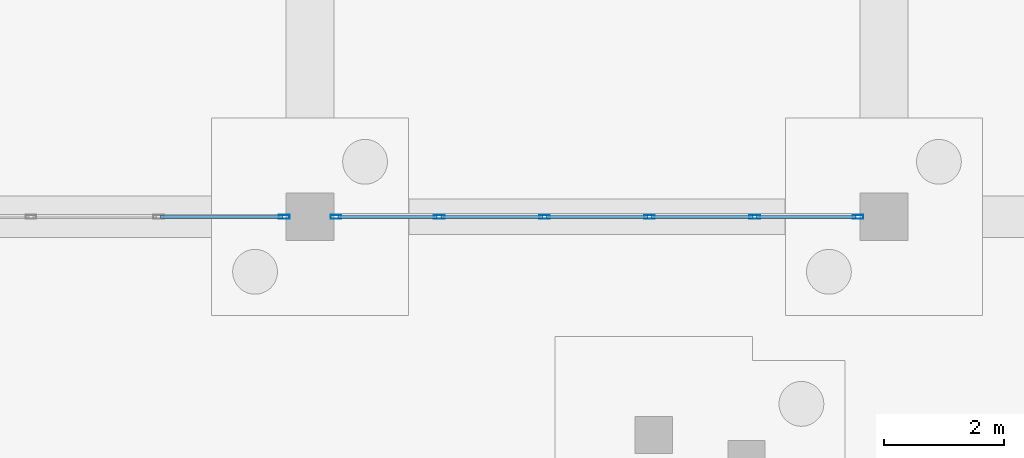
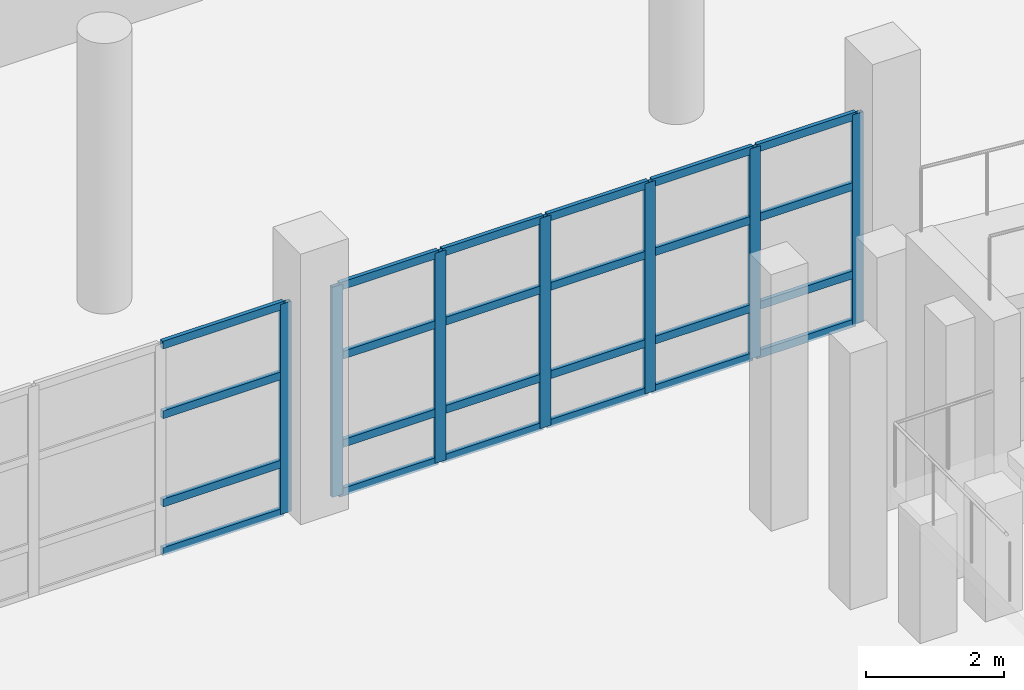
# One storey, part 24 of 42: 31 members, 2 elements without a shape of their own.
"""IFC4 building model written with IfcOpenShell, lengths in metres."""

from ifc_helpers import new_model, si_unit, direction, frame, origin, origin_2d, place, context, subcontext, project, spatial, hollow_rectangle, extrude, material, material_profile, profile_set, type_object, element, aggregate, save


model = new_model("IFC4")

# Units and contexts
model_context = context("Model", 3, precision=1e-05, world=origin(), true_north=direction((0.0, 1.0)))
body_context = subcontext(model_context, "Body", "Model", "MODEL_VIEW")
ifc_project = project(units=[si_unit("LENGTHUNIT", "METRE"), si_unit("AREAUNIT", "SQUARE_METRE"), si_unit("VOLUMEUNIT", "CUBIC_METRE"), si_unit("PLANEANGLEUNIT", "RADIAN"), si_unit("MASSUNIT", "GRAM", prefix="KILO")], contexts=[model_context])

# Site, building, storey
site_placement = place(None, origin())
site = spatial("IfcSite", under=ifc_project, at=site_placement, CompositionType="ELEMENT")
building_placement = place(site_placement, origin())
building = spatial("IfcBuilding", under=site, at=building_placement, Name="Pellamere Symphony Hall", CompositionType="ELEMENT")
storey_placement = place(building_placement, frame((0.0, 0.0, -4.800048828125)))
storey = spatial("IfcBuildingStorey", under=building, at=storey_placement, Name="B1", CompositionType="ELEMENT", Elevation=-4.800048828125)

# Curtain wall, member
ifc_material_1 = material(Name="Thermally Broken Anodised Aluminium 6063-T6 Curtain Wall", Category="aluminium")
curtain_wall_type = type_object("IfcCurtainWallType", Name="Curtain Wall CW-02 (Winter-Garden South Concourse Curtain Wall)", PredefinedType="NOTDEFINED", material=ifc_material_1)
curtain_wall_1_placement = place(storey_placement, origin())
curtain_wall_1 = element("IfcCurtainWall", 1, at=curtain_wall_1_placement, inside=storey, type_object=curtain_wall_type, Name="Winter-Garden South Curtain Wall (B1 Bay 8)", PredefinedType="NOTDEFINED")
ifc_material_2 = material(Name="Anodised Architectural Aluminium 6063-T6", Category="aluminium")
ifc_material_profile_1 = material_profile(ifc_material_2, hollow_rectangle(XDim=0.06494140625, YDim=0.179931640625, WallThickness=0.00390625, at=origin_2d()), Name="ALU-M65X180X4")
ifc_profile_set_1 = profile_set([ifc_material_profile_1], Name="Anodised Architectural Aluminium 6063-T6")
member_type_1 = type_object("IfcMemberType", Name="Curtain Wall Mullion ML-02 ALU-M65X180X4", PredefinedType="MULLION", material=ifc_profile_set_1)
member_1_placement = place(storey_placement, frame((108.767578125, 18.0, 0.0), z_axis=(0.0, 0.0, 1.0), x_axis=(0.0, 1.0, 0.0)))
member_1 = element("IfcMember", 2, at=member_1_placement, type_object=member_type_1, Name="CW2-062 crystal mullion 4", PredefinedType="MULLION", context=body_context, shape_type="SweptSolid", body=[
    extrude(hollow_rectangle(XDim=0.06494140625, YDim=0.179931640625, WallThickness=0.00390625, at=origin_2d()), origin(), (0.0, 0.0, 1.0), 3.72998046875),
])

# Curtain wall, members
curtain_wall_2_placement = place(storey_placement, origin())
curtain_wall_2 = element("IfcCurtainWall", 3, at=curtain_wall_2_placement, inside=storey, type_object=curtain_wall_type, Name="Winter-Garden South Curtain Wall (B1 Bay 9)", PredefinedType="NOTDEFINED")
member_2_placement = place(storey_placement, frame((109.632568359375, 18.0, 0.0), z_axis=(0.0, 0.0, 1.0), x_axis=(0.0, 1.0, 0.0)))
member_2 = element("IfcMember", 4, at=member_2_placement, type_object=member_type_1, Name="CW2-063 crystal mullion 1", PredefinedType="MULLION", context=body_context, shape_type="SweptSolid", body=[
    extrude(hollow_rectangle(XDim=0.06494140625, YDim=0.179931640625, WallThickness=0.00390625, at=origin_2d()), origin(), (0.0, 0.0, 1.0), 3.72998046875),
])
member_3_placement = place(storey_placement, frame((111.360107421875, 18.0, 0.0), z_axis=(0.0, 0.0, 1.0), x_axis=(0.0, 1.0, 0.0)))
member_3 = element("IfcMember", 5, at=member_3_placement, type_object=member_type_1, Name="CW2-063 crystal mullion 2", PredefinedType="MULLION", context=body_context, shape_type="SweptSolid", body=[
    extrude(hollow_rectangle(XDim=0.06494140625, YDim=0.179931640625, WallThickness=0.00390625, at=origin_2d()), origin(), (0.0, 0.0, 1.0), 3.72998046875),
])
member_4_placement = place(storey_placement, frame((113.1201171875, 18.0, 0.0), z_axis=(0.0, 0.0, 1.0), x_axis=(0.0, 1.0, 0.0)))
member_4 = element("IfcMember", 6, at=member_4_placement, type_object=member_type_1, Name="CW2-063 crystal mullion 3", PredefinedType="MULLION", context=body_context, shape_type="SweptSolid", body=[
    extrude(hollow_rectangle(XDim=0.06494140625, YDim=0.179931640625, WallThickness=0.00390625, at=origin_2d()), origin(), (0.0, 0.0, 1.0), 3.72998046875),
])
member_5_placement = place(storey_placement, frame((114.8798828125, 18.0, 0.0), z_axis=(0.0, 0.0, 1.0), x_axis=(0.0, 1.0, 0.0)))
member_5 = element("IfcMember", 7, at=member_5_placement, type_object=member_type_1, Name="CW2-063 crystal mullion 4", PredefinedType="MULLION", context=body_context, shape_type="SweptSolid", body=[
    extrude(hollow_rectangle(XDim=0.06494140625, YDim=0.179931640625, WallThickness=0.00390625, at=origin_2d()), origin(), (0.0, 0.0, 1.0), 3.72998046875),
])
member_6_placement = place(storey_placement, frame((116.639892578125, 18.0, 0.0), z_axis=(0.0, 0.0, 1.0), x_axis=(0.0, 1.0, 0.0)))
member_6 = element("IfcMember", 8, at=member_6_placement, type_object=member_type_1, Name="CW2-063 crystal mullion 5", PredefinedType="MULLION", context=body_context, shape_type="SweptSolid", body=[
    extrude(hollow_rectangle(XDim=0.06494140625, YDim=0.179931640625, WallThickness=0.00390625, at=origin_2d()), origin(), (0.0, 0.0, 1.0), 3.72998046875),
])
member_7_placement = place(storey_placement, frame((118.367431640625, 18.0, 0.0), z_axis=(0.0, 0.0, 1.0), x_axis=(0.0, 1.0, 0.0)))
member_7 = element("IfcMember", 9, at=member_7_placement, type_object=member_type_1, Name="CW2-063 crystal mullion 6", PredefinedType="MULLION", context=body_context, shape_type="SweptSolid", body=[
    extrude(hollow_rectangle(XDim=0.06494140625, YDim=0.179931640625, WallThickness=0.00390625, at=origin_2d()), origin(), (0.0, 0.0, 1.0), 3.72998046875),
])

# Member
ifc_material_profile_2 = material_profile(ifc_material_2, hollow_rectangle(XDim=0.06494140625, YDim=0.139892578125, WallThickness=0.00390625, at=origin_2d()), Name="ALU-T65X140X4")
ifc_profile_set_2 = profile_set([ifc_material_profile_2], Name="Anodised Architectural Aluminium 6063-T6")
member_type_2 = type_object("IfcMemberType", Name="Curtain Wall Transom TR-02 ALU-T65X140X4", PredefinedType="USERDEFINED", material=ifc_profile_set_2)
member_8_placement = place(storey_placement, frame((106.69921875, 18.0, 0.032470703125), z_axis=(1.0, 0.0, 0.0), x_axis=(0.0, 1.0, 0.0)))
member_8 = element("IfcMember", 10, at=member_8_placement, type_object=member_type_2, Name="CW2-062 crystal transom 3.1", ObjectType="TRANSOM", PredefinedType="USERDEFINED", context=body_context, shape_type="SweptSolid", body=[
    extrude(hollow_rectangle(XDim=0.06494140625, YDim=0.139892578125, WallThickness=0.00390625, at=origin_2d()), origin(), (0.0, 0.0, 1.0), 2.035888671875),
])

member_9_placement = place(storey_placement, frame((106.69921875, 18.0, 0.895263671875), z_axis=(1.0, 0.0, 0.0), x_axis=(0.0, 1.0, 0.0)))
member_9 = element("IfcMember", 11, at=member_9_placement, type_object=member_type_2, Name="CW2-062 crystal transom 3.2", ObjectType="TRANSOM", PredefinedType="USERDEFINED", context=body_context, shape_type="SweptSolid", body=[
    extrude(hollow_rectangle(XDim=0.06494140625, YDim=0.139892578125, WallThickness=0.00390625, at=origin_2d()), origin(), (0.0, 0.0, 1.0), 2.035888671875),
])

member_10_placement = place(storey_placement, frame((106.69921875, 18.0, 2.4619140625), z_axis=(1.0, 0.0, 0.0), x_axis=(0.0, 1.0, 0.0)))
member_10 = element("IfcMember", 12, at=member_10_placement, type_object=member_type_2, Name="CW2-062 crystal transom 3.3", ObjectType="TRANSOM", PredefinedType="USERDEFINED", context=body_context, shape_type="SweptSolid", body=[
    extrude(hollow_rectangle(XDim=0.06494140625, YDim=0.139892578125, WallThickness=0.00390625, at=origin_2d()), origin(), (0.0, 0.0, 1.0), 2.035888671875),
])

member_11_placement = place(storey_placement, frame((106.69921875, 18.0, 3.697509765625), z_axis=(1.0, 0.0, 0.0), x_axis=(0.0, 1.0, 0.0)))
member_11 = element("IfcMember", 13, at=member_11_placement, type_object=member_type_2, Name="CW2-062 crystal transom 3.4", ObjectType="TRANSOM", PredefinedType="USERDEFINED", context=body_context, shape_type="SweptSolid", body=[
    extrude(hollow_rectangle(XDim=0.06494140625, YDim=0.139892578125, WallThickness=0.00390625, at=origin_2d()), origin(), (0.0, 0.0, 1.0), 2.035888671875),
])

aggregate(curtain_wall_1, [member_1, member_8, member_9, member_10, member_11])

member_12_placement = place(storey_placement, frame((109.6650390625, 18.0, 0.032470703125), z_axis=(1.0, 0.0, 0.0), x_axis=(0.0, 1.0, 0.0)))
member_12 = element("IfcMember", 14, at=member_12_placement, type_object=member_type_2, Name="CW2-063 crystal transom 1.1", ObjectType="TRANSOM", PredefinedType="USERDEFINED", context=body_context, shape_type="SweptSolid", body=[
    extrude(hollow_rectangle(XDim=0.06494140625, YDim=0.139892578125, WallThickness=0.00390625, at=origin_2d()), origin(), (0.0, 0.0, 1.0), 1.662353515625),
])

member_13_placement = place(storey_placement, frame((109.6650390625, 18.0, 0.895263671875), z_axis=(1.0, 0.0, 0.0), x_axis=(0.0, 1.0, 0.0)))
member_13 = element("IfcMember", 15, at=member_13_placement, type_object=member_type_2, Name="CW2-063 crystal transom 1.2", ObjectType="TRANSOM", PredefinedType="USERDEFINED", context=body_context, shape_type="SweptSolid", body=[
    extrude(hollow_rectangle(XDim=0.06494140625, YDim=0.139892578125, WallThickness=0.00390625, at=origin_2d()), origin(), (0.0, 0.0, 1.0), 1.662353515625),
])

member_14_placement = place(storey_placement, frame((109.6650390625, 18.0, 2.4619140625), z_axis=(1.0, 0.0, 0.0), x_axis=(0.0, 1.0, 0.0)))
member_14 = element("IfcMember", 16, at=member_14_placement, type_object=member_type_2, Name="CW2-063 crystal transom 1.3", ObjectType="TRANSOM", PredefinedType="USERDEFINED", context=body_context, shape_type="SweptSolid", body=[
    extrude(hollow_rectangle(XDim=0.06494140625, YDim=0.139892578125, WallThickness=0.00390625, at=origin_2d()), origin(), (0.0, 0.0, 1.0), 1.662353515625),
])

member_15_placement = place(storey_placement, frame((109.6650390625, 18.0, 3.697509765625), z_axis=(1.0, 0.0, 0.0), x_axis=(0.0, 1.0, 0.0)))
member_15 = element("IfcMember", 17, at=member_15_placement, type_object=member_type_2, Name="CW2-063 crystal transom 1.4", ObjectType="TRANSOM", PredefinedType="USERDEFINED", context=body_context, shape_type="SweptSolid", body=[
    extrude(hollow_rectangle(XDim=0.06494140625, YDim=0.139892578125, WallThickness=0.00390625, at=origin_2d()), origin(), (0.0, 0.0, 1.0), 1.662353515625),
])

member_16_placement = place(storey_placement, frame((111.392578125, 18.0, 0.032470703125), z_axis=(1.0, 0.0, 0.0), x_axis=(0.0, 1.0, 0.0)))
member_16 = element("IfcMember", 18, at=member_16_placement, type_object=member_type_2, Name="CW2-063 crystal transom 2.1", ObjectType="TRANSOM", PredefinedType="USERDEFINED", context=body_context, shape_type="SweptSolid", body=[
    extrude(hollow_rectangle(XDim=0.06494140625, YDim=0.139892578125, WallThickness=0.00390625, at=origin_2d()), origin(), (0.0, 0.0, 1.0), 1.69482421875),
])

member_17_placement = place(storey_placement, frame((111.392578125, 18.0, 0.895263671875), z_axis=(1.0, 0.0, 0.0), x_axis=(0.0, 1.0, 0.0)))
member_17 = element("IfcMember", 19, at=member_17_placement, type_object=member_type_2, Name="CW2-063 crystal transom 2.2", ObjectType="TRANSOM", PredefinedType="USERDEFINED", context=body_context, shape_type="SweptSolid", body=[
    extrude(hollow_rectangle(XDim=0.06494140625, YDim=0.139892578125, WallThickness=0.00390625, at=origin_2d()), origin(), (0.0, 0.0, 1.0), 1.69482421875),
])

member_18_placement = place(storey_placement, frame((111.392578125, 18.0, 2.4619140625), z_axis=(1.0, 0.0, 0.0), x_axis=(0.0, 1.0, 0.0)))
member_18 = element("IfcMember", 20, at=member_18_placement, type_object=member_type_2, Name="CW2-063 crystal transom 2.3", ObjectType="TRANSOM", PredefinedType="USERDEFINED", context=body_context, shape_type="SweptSolid", body=[
    extrude(hollow_rectangle(XDim=0.06494140625, YDim=0.139892578125, WallThickness=0.00390625, at=origin_2d()), origin(), (0.0, 0.0, 1.0), 1.69482421875),
])

member_19_placement = place(storey_placement, frame((111.392578125, 18.0, 3.697509765625), z_axis=(1.0, 0.0, 0.0), x_axis=(0.0, 1.0, 0.0)))
member_19 = element("IfcMember", 21, at=member_19_placement, type_object=member_type_2, Name="CW2-063 crystal transom 2.4", ObjectType="TRANSOM", PredefinedType="USERDEFINED", context=body_context, shape_type="SweptSolid", body=[
    extrude(hollow_rectangle(XDim=0.06494140625, YDim=0.139892578125, WallThickness=0.00390625, at=origin_2d()), origin(), (0.0, 0.0, 1.0), 1.69482421875),
])

member_20_placement = place(storey_placement, frame((113.152587890625, 18.0, 0.032470703125), z_axis=(1.0, 0.0, 0.0), x_axis=(0.0, 1.0, 0.0)))
member_20 = element("IfcMember", 22, at=member_20_placement, type_object=member_type_2, Name="CW2-063 crystal transom 3.1", ObjectType="TRANSOM", PredefinedType="USERDEFINED", context=body_context, shape_type="SweptSolid", body=[
    extrude(hollow_rectangle(XDim=0.06494140625, YDim=0.139892578125, WallThickness=0.00390625, at=origin_2d()), origin(), (0.0, 0.0, 1.0), 1.69482421875),
])

member_21_placement = place(storey_placement, frame((113.152587890625, 18.0, 0.895263671875), z_axis=(1.0, 0.0, 0.0), x_axis=(0.0, 1.0, 0.0)))
member_21 = element("IfcMember", 23, at=member_21_placement, type_object=member_type_2, Name="CW2-063 crystal transom 3.2", ObjectType="TRANSOM", PredefinedType="USERDEFINED", context=body_context, shape_type="SweptSolid", body=[
    extrude(hollow_rectangle(XDim=0.06494140625, YDim=0.139892578125, WallThickness=0.00390625, at=origin_2d()), origin(), (0.0, 0.0, 1.0), 1.69482421875),
])

member_22_placement = place(storey_placement, frame((113.152587890625, 18.0, 2.4619140625), z_axis=(1.0, 0.0, 0.0), x_axis=(0.0, 1.0, 0.0)))
member_22 = element("IfcMember", 24, at=member_22_placement, type_object=member_type_2, Name="CW2-063 crystal transom 3.3", ObjectType="TRANSOM", PredefinedType="USERDEFINED", context=body_context, shape_type="SweptSolid", body=[
    extrude(hollow_rectangle(XDim=0.06494140625, YDim=0.139892578125, WallThickness=0.00390625, at=origin_2d()), origin(), (0.0, 0.0, 1.0), 1.69482421875),
])

member_23_placement = place(storey_placement, frame((113.152587890625, 18.0, 3.697509765625), z_axis=(1.0, 0.0, 0.0), x_axis=(0.0, 1.0, 0.0)))
member_23 = element("IfcMember", 25, at=member_23_placement, type_object=member_type_2, Name="CW2-063 crystal transom 3.4", ObjectType="TRANSOM", PredefinedType="USERDEFINED", context=body_context, shape_type="SweptSolid", body=[
    extrude(hollow_rectangle(XDim=0.06494140625, YDim=0.139892578125, WallThickness=0.00390625, at=origin_2d()), origin(), (0.0, 0.0, 1.0), 1.69482421875),
])

member_24_placement = place(storey_placement, frame((114.91259765625, 18.0, 0.032470703125), z_axis=(1.0, 0.0, 0.0), x_axis=(0.0, 1.0, 0.0)))
member_24 = element("IfcMember", 26, at=member_24_placement, type_object=member_type_2, Name="CW2-063 crystal transom 4.1", ObjectType="TRANSOM", PredefinedType="USERDEFINED", context=body_context, shape_type="SweptSolid", body=[
    extrude(hollow_rectangle(XDim=0.06494140625, YDim=0.139892578125, WallThickness=0.00390625, at=origin_2d()), origin(), (0.0, 0.0, 1.0), 1.69482421875),
])

member_25_placement = place(storey_placement, frame((114.91259765625, 18.0, 0.895263671875), z_axis=(1.0, 0.0, 0.0), x_axis=(0.0, 1.0, 0.0)))
member_25 = element("IfcMember", 27, at=member_25_placement, type_object=member_type_2, Name="CW2-063 crystal transom 4.2", ObjectType="TRANSOM", PredefinedType="USERDEFINED", context=body_context, shape_type="SweptSolid", body=[
    extrude(hollow_rectangle(XDim=0.06494140625, YDim=0.139892578125, WallThickness=0.00390625, at=origin_2d()), origin(), (0.0, 0.0, 1.0), 1.69482421875),
])

member_26_placement = place(storey_placement, frame((114.91259765625, 18.0, 2.4619140625), z_axis=(1.0, 0.0, 0.0), x_axis=(0.0, 1.0, 0.0)))
member_26 = element("IfcMember", 28, at=member_26_placement, type_object=member_type_2, Name="CW2-063 crystal transom 4.3", ObjectType="TRANSOM", PredefinedType="USERDEFINED", context=body_context, shape_type="SweptSolid", body=[
    extrude(hollow_rectangle(XDim=0.06494140625, YDim=0.139892578125, WallThickness=0.00390625, at=origin_2d()), origin(), (0.0, 0.0, 1.0), 1.69482421875),
])

member_27_placement = place(storey_placement, frame((114.91259765625, 18.0, 3.697509765625), z_axis=(1.0, 0.0, 0.0), x_axis=(0.0, 1.0, 0.0)))
member_27 = element("IfcMember", 29, at=member_27_placement, type_object=member_type_2, Name="CW2-063 crystal transom 4.4", ObjectType="TRANSOM", PredefinedType="USERDEFINED", context=body_context, shape_type="SweptSolid", body=[
    extrude(hollow_rectangle(XDim=0.06494140625, YDim=0.139892578125, WallThickness=0.00390625, at=origin_2d()), origin(), (0.0, 0.0, 1.0), 1.69482421875),
])

member_28_placement = place(storey_placement, frame((116.672607421875, 18.0, 0.032470703125), z_axis=(1.0, 0.0, 0.0), x_axis=(0.0, 1.0, 0.0)))
member_28 = element("IfcMember", 30, at=member_28_placement, type_object=member_type_2, Name="CW2-063 crystal transom 5.1", ObjectType="TRANSOM", PredefinedType="USERDEFINED", context=body_context, shape_type="SweptSolid", body=[
    extrude(hollow_rectangle(XDim=0.06494140625, YDim=0.139892578125, WallThickness=0.00390625, at=origin_2d()), origin(), (0.0, 0.0, 1.0), 1.662353515625),
])

member_29_placement = place(storey_placement, frame((116.672607421875, 18.0, 0.895263671875), z_axis=(1.0, 0.0, 0.0), x_axis=(0.0, 1.0, 0.0)))
member_29 = element("IfcMember", 31, at=member_29_placement, type_object=member_type_2, Name="CW2-063 crystal transom 5.2", ObjectType="TRANSOM", PredefinedType="USERDEFINED", context=body_context, shape_type="SweptSolid", body=[
    extrude(hollow_rectangle(XDim=0.06494140625, YDim=0.139892578125, WallThickness=0.00390625, at=origin_2d()), origin(), (0.0, 0.0, 1.0), 1.662353515625),
])

member_30_placement = place(storey_placement, frame((116.672607421875, 18.0, 2.4619140625), z_axis=(1.0, 0.0, 0.0), x_axis=(0.0, 1.0, 0.0)))
member_30 = element("IfcMember", 32, at=member_30_placement, type_object=member_type_2, Name="CW2-063 crystal transom 5.3", ObjectType="TRANSOM", PredefinedType="USERDEFINED", context=body_context, shape_type="SweptSolid", body=[
    extrude(hollow_rectangle(XDim=0.06494140625, YDim=0.139892578125, WallThickness=0.00390625, at=origin_2d()), origin(), (0.0, 0.0, 1.0), 1.662353515625),
])

member_31_placement = place(storey_placement, frame((116.672607421875, 18.0, 3.697509765625), z_axis=(1.0, 0.0, 0.0), x_axis=(0.0, 1.0, 0.0)))
member_31 = element("IfcMember", 33, at=member_31_placement, type_object=member_type_2, Name="CW2-063 crystal transom 5.4", ObjectType="TRANSOM", PredefinedType="USERDEFINED", context=body_context, shape_type="SweptSolid", body=[
    extrude(hollow_rectangle(XDim=0.06494140625, YDim=0.139892578125, WallThickness=0.00390625, at=origin_2d()), origin(), (0.0, 0.0, 1.0), 1.662353515625),
])

aggregate(curtain_wall_2, [member_2, member_3, member_4, member_5, member_6, member_7, member_12, member_13, member_14, member_15, member_16, member_17, member_18, member_19, member_20, member_21, member_22, member_23, member_24, member_25, member_26, member_27, member_28, member_29, member_30, member_31])

save(model, "model.ifc")
